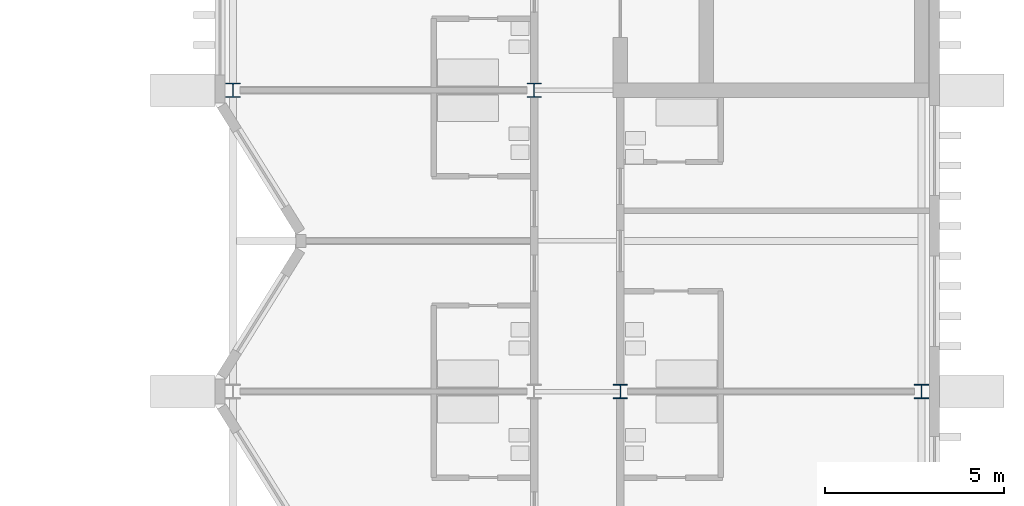
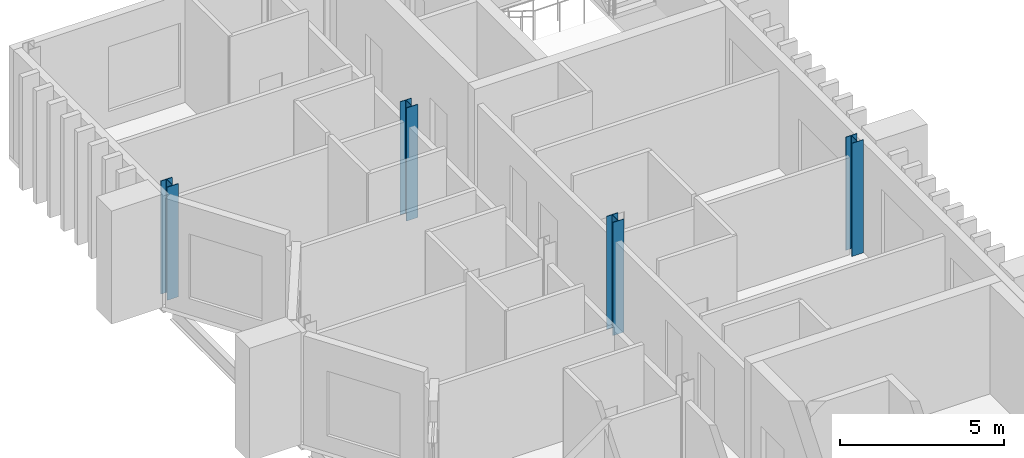
# One storey, part 4 of 20: 4 columns.
"""IFC4 building model written with IfcOpenShell, lengths in metres."""

from ifc_helpers import new_model, si_unit, direction, frame, origin, origin_2d, place, context, subcontext, project, spatial, i_section, extrude, material, material_profile, profile_set, type_object, element, save


model = new_model("IFC4")

# Units and contexts
model_context = context("Model", 3, precision=1e-05, world=origin(), true_north=direction((0.0, 1.0)))
body_context = subcontext(model_context, "Body", "Model", "MODEL_VIEW")
ifc_project = project(units=[si_unit("LENGTHUNIT", "METRE"), si_unit("AREAUNIT", "SQUARE_METRE"), si_unit("VOLUMEUNIT", "CUBIC_METRE"), si_unit("PLANEANGLEUNIT", "RADIAN"), si_unit("MASSUNIT", "GRAM", prefix="KILO")], contexts=[model_context])

# Site, building, storey
site_placement = place(None, origin())
site = spatial("IfcSite", under=ifc_project, at=site_placement, CompositionType="ELEMENT")
building_placement = place(site_placement, origin())
building = spatial("IfcBuilding", under=site, at=building_placement, Name="Cresset Court Congress Hotel", CompositionType="ELEMENT")
storey_placement = place(building_placement, frame((0.0, 0.0, 27.0)))
storey = spatial("IfcBuildingStorey", under=building, at=storey_placement, Name="L06", CompositionType="ELEMENT", Elevation=27.0)

# Columns
ifc_material = material(Name="Structural steel Q355B", Category="steel")
ifc_material_profile = material_profile(ifc_material, i_section(OverallWidth=0.39990234375, OverallDepth=0.39990234375, WebThickness=0.012939453125, FlangeThickness=0.02099609375, FilletRadius=0.02197265625, at=origin_2d()), Name="HW400x400x13x21")
ifc_profile_set = profile_set([ifc_material_profile], Name="Structural steel Q355B")
column_type = type_object("IfcColumnType", Name="Steel column HW400x400x13x21", PredefinedType="COLUMN", material=ifc_profile_set)
for number, where, z_axis, x_axis, name in (
    (1, (157.199951171875, 58.800048828125, 0.0), (0.0, 0.0, 1.0), (1.0, 0.0, 0.0), "Column L06 8-20"),
    (2, (165.60009765625, 58.800048828125, 0.0), (0.0, 0.0, 1.0), (1.0, 0.0, 0.0), "Column L06 8-21"),
    (3, (168.0, 50.39990234375, 0.0), (0.0, 0.0, 1.0), (1.0, 0.0, 0.0), "Column L06 7-22"),
    (4, (176.39990234375, 50.39990234375, 0.0), (0.0, 0.0, 1.0), (1.0, 0.0, 0.0), "Column L06 7-23"),
):
    element("IfcColumn", number, at=place(storey_placement, frame(where, z_axis=z_axis, x_axis=x_axis)), inside=storey, type_object=column_type, Name=name, PredefinedType="COLUMN", context=body_context, shape_type="SweptSolid", body=[
        extrude(i_section(OverallWidth=0.39990234375, OverallDepth=0.39990234375, WebThickness=0.012939453125, FlangeThickness=0.02099609375, FilletRadius=0.02197265625, at=origin_2d()), origin(), (0.0, 0.0, 1.0), 4.199951171875),
    ])

save(model, "model.ifc")
